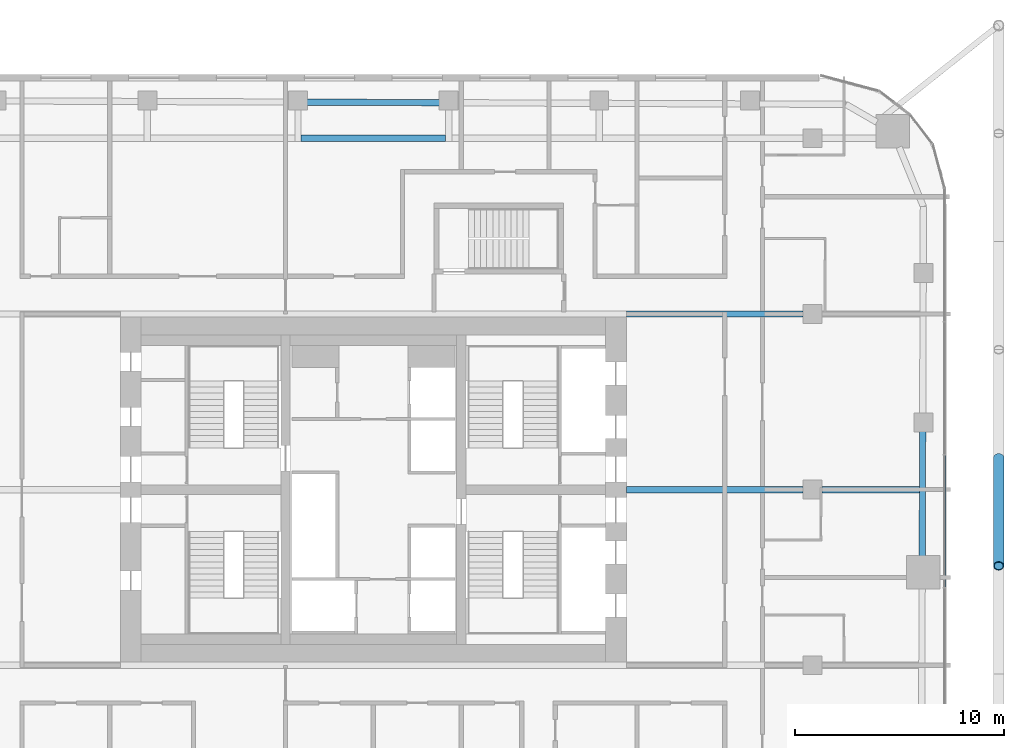
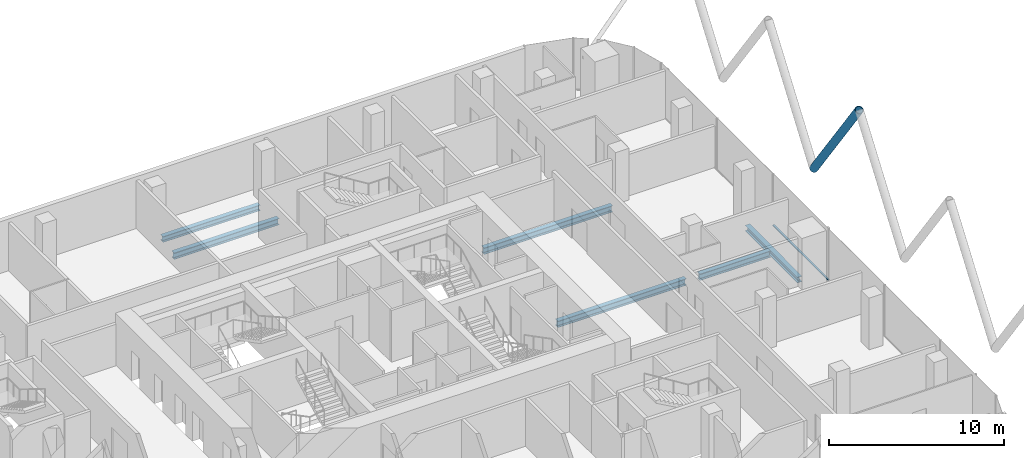
# One storey, part 12 of 33: 6 beams, 2 members, 1 element without a shape of its own.
"""IFC4 building model written with IfcOpenShell, lengths in metres."""

from ifc_helpers import new_model, si_unit, direction, frame, origin, origin_2d, place, context, subcontext, project, spatial, rectangle, hollow_circle, i_section, extrude, material, layer, layer_set, material_profile, profile_set, type_object, element, aggregate, save


model = new_model("IFC4")

# Units and contexts
model_context = context("Model", 3, precision=1e-05, world=origin(), true_north=direction((0.0, 1.0)))
body_context = subcontext(model_context, "Body", "Model", "MODEL_VIEW")
ifc_project = project(units=[si_unit("LENGTHUNIT", "METRE"), si_unit("AREAUNIT", "SQUARE_METRE"), si_unit("VOLUMEUNIT", "CUBIC_METRE"), si_unit("PLANEANGLEUNIT", "RADIAN"), si_unit("MASSUNIT", "GRAM", prefix="KILO")], contexts=[model_context])

# Site, building, storey
site_placement = place(None, origin())
site = spatial("IfcSite", under=ifc_project, at=site_placement, CompositionType="ELEMENT")
building_placement = place(site_placement, origin())
building = spatial("IfcBuilding", under=site, at=building_placement, Name="Marenta Gate Hotel Tower", CompositionType="ELEMENT")
storey_placement = place(building_placement, frame((0.0, 0.0, 151.699951171875)))
storey = spatial("IfcBuildingStorey", under=building, at=storey_placement, Name="L35", CompositionType="ELEMENT", Elevation=151.699951171875)

# Member
ifc_material_1 = material(Name="Steel S355J2W", Category="steel")
ifc_material_profile_1 = material_profile(ifc_material_1, hollow_circle(Radius=0.25390625, WallThickness=0.0400390625, at=origin_2d()), Name="CHS 508x40")
ifc_profile_set_1 = profile_set([ifc_material_profile_1], Name="Steel S355J2W")
member_type_1 = type_object("IfcMemberType", Name="Diagrid diagonal Z2 CHS 508x40", PredefinedType="BRACE", material=ifc_profile_set_1)
member_1_placement = place(storey_placement, frame((29.89990234375, 9.919921875, 3.14013671875), z_axis=(0.0, -0.583260841117, 0.812284919975), x_axis=(1.0, 0.0, 0.0)))
element("IfcMember", 1, at=member_1_placement, inside=storey, type_object=member_type_1, Name="L35-DG-5", PredefinedType="BRACE", context=body_context, shape_type="SweptSolid", body=[
    extrude(hollow_circle(Radius=0.25390625, WallThickness=0.0400390625, at=origin_2d()), origin(), (0.0, 0.0, 1.0), 8.86376953125),
])

# Beams
ifc_material_2 = material(Name="Steel S355", Category="steel")
ifc_material_profile_2 = material_profile(ifc_material_2, i_section(OverallWidth=0.300048828125, OverallDepth=0.39990234375, WebThickness=0.013427734375, FlangeThickness=0.02392578125, FilletRadius=0.027099609375, at=origin_2d()), Name="HEB 400")
ifc_profile_set_2 = profile_set([ifc_material_profile_2], Name="Steel S355")
beam_type_1 = type_object("IfcBeamType", Name="Edge beam HEB 400", PredefinedType="SPANDREL", material=ifc_profile_set_2)
beam_1_placement = place(storey_placement, frame((-3.19140625, 26.926513671875, -0.4599609375), z_axis=(0.999991624938, -0.004092682982, 0.0), x_axis=(0.004092682982, 0.999991624938, 0.0)))
element("IfcBeam", 2, at=beam_1_placement, inside=storey, type_object=beam_type_1, Name="L35-EB-16", PredefinedType="SPANDREL", context=body_context, shape_type="SweptSolid", body=[
    extrude(i_section(OverallWidth=0.300048828125, OverallDepth=0.39990234375, WebThickness=0.013427734375, FlangeThickness=0.02392578125, FilletRadius=0.027099609375, at=origin_2d()), origin(), (0.0, 0.0, 1.0), 6.3828125),
])
beam_2_placement = place(storey_placement, frame((26.26416015625, 11.193115234375, -0.4599609375), z_axis=(-0.003305160059, -0.999994537944, 0.0), x_axis=(0.999994537944, -0.003305160059, 0.0)))
element("IfcBeam", 3, at=beam_2_placement, inside=storey, type_object=beam_type_1, Name="L35-EB-24", PredefinedType="SPANDREL", context=body_context, shape_type="SweptSolid", body=[
    extrude(i_section(OverallWidth=0.300048828125, OverallDepth=0.39990234375, WebThickness=0.013427734375, FlangeThickness=0.02392578125, FilletRadius=0.027099609375, at=origin_2d()), origin(), (0.0, 0.0, 1.0), 5.983154296875),
])
ifc_material_3 = material(Name="Steel S355", Category="steel")
ifc_material_profile_3 = material_profile(ifc_material_3, i_section(OverallWidth=0.300048828125, OverallDepth=0.449951171875, WebThickness=0.013916015625, FlangeThickness=0.02587890625, FilletRadius=0.027099609375, at=origin_2d()), Name="HEB 450")
ifc_profile_set_3 = profile_set([ifc_material_profile_3], Name="Steel S355")
beam_type_2 = type_object("IfcBeamType", Name="Girder HEB 450", PredefinedType="BEAM", material=ifc_profile_set_3)
beam_3_placement = place(storey_placement, frame((12.10009765625, 8.39990234375, -0.48486328125), z_axis=(1.0, 0.0, 0.0), x_axis=(0.0, 1.0, 0.0)))
element("IfcBeam", 4, at=beam_3_placement, inside=storey, type_object=beam_type_2, Name="L35-GD-22", PredefinedType="BEAM", context=body_context, shape_type="SweptSolid", body=[
    extrude(i_section(OverallWidth=0.300048828125, OverallDepth=0.449951171875, WebThickness=0.013916015625, FlangeThickness=0.02587890625, FilletRadius=0.027099609375, at=origin_2d()), origin(), (0.0, 0.0, 1.0), 8.449951171875),
])
beam_4_placement = place(storey_placement, frame((21.449951171875, 8.39990234375, -0.48486328125), z_axis=(1.0, 0.0, 0.0), x_axis=(0.0, 1.0, 0.0)))
element("IfcBeam", 5, at=beam_4_placement, inside=storey, type_object=beam_type_2, Name="L35-GD-23", PredefinedType="BEAM", context=body_context, shape_type="SweptSolid", body=[
    extrude(i_section(OverallWidth=0.300048828125, OverallDepth=0.449951171875, WebThickness=0.013916015625, FlangeThickness=0.02587890625, FilletRadius=0.027099609375, at=origin_2d()), origin(), (0.0, 0.0, 1.0), 4.655029296875),
])
beam_5_placement = place(storey_placement, frame((12.10009765625, 16.800048828125, -0.48486328125), z_axis=(1.0, 0.0, 0.0), x_axis=(0.0, 1.0, 0.0)))
element("IfcBeam", 6, at=beam_5_placement, inside=storey, type_object=beam_type_2, Name="L35-GD-27", PredefinedType="BEAM", context=body_context, shape_type="SweptSolid", body=[
    extrude(i_section(OverallWidth=0.300048828125, OverallDepth=0.449951171875, WebThickness=0.013916015625, FlangeThickness=0.02587890625, FilletRadius=0.027099609375, at=origin_2d()), origin(), (0.0, 0.0, 1.0), 8.449951171875),
])
beam_6_placement = place(storey_placement, frame((-3.451416015625, 25.199951171875, -0.48486328125), z_axis=(1.0, 0.0, 0.0), x_axis=(0.0, 1.0, 0.0)))
element("IfcBeam", 7, at=beam_6_placement, inside=storey, type_object=beam_type_2, Name="L35-GD-32", PredefinedType="BEAM", context=body_context, shape_type="SweptSolid", body=[
    extrude(i_section(OverallWidth=0.300048828125, OverallDepth=0.449951171875, WebThickness=0.013916015625, FlangeThickness=0.02587890625, FilletRadius=0.027099609375, at=origin_2d()), origin(), (0.0, 0.0, 1.0), 6.90283203125),
])

# Curtain wall, member
ifc_material_4 = material(Name="Tinted insulated glass in bronze anodised frame", Category="glass")
ifc_layer = layer(ifc_material_4, 0.1201171875)
ifc_layer_set = layer_set([ifc_layer], Name="Tinted insulated glass in bronze anodised frame")
curtain_wall_type = type_object("IfcCurtainWallType", Name="Tower unitised curtain wall CW1", PredefinedType="NOTDEFINED", material=ifc_layer_set)
curtain_wall_placement = place(storey_placement, origin())
curtain_wall = element("IfcCurtainWall", 8, at=curtain_wall_placement, inside=storey, type_object=curtain_wall_type, Name="CW1 run G19", PredefinedType="NOTDEFINED")
ifc_material_5 = material(Name="Bronze anodised aluminium", Category="aluminium")
ifc_material_profile_4 = material_profile(ifc_material_5, rectangle(XDim=0.1201171875, YDim=0.06005859375, at=origin_2d()), Name="Transom CW1 60x120 bronze anodised aluminium")
ifc_profile_set_4 = profile_set([ifc_material_profile_4], Name="Bronze anodised aluminium")
member_type_2 = type_object("IfcMemberType", Name="Transom CW1 60x120 bronze anodised aluminium", PredefinedType="USERDEFINED", material=ifc_profile_set_4)
member_2_placement = place(storey_placement, frame((27.31396484375, 3.741943359375, 0.030029296875), z_axis=(0.0, 1.0, 0.0), x_axis=(-1.0, 0.0, 0.0)))
member_2 = element("IfcMember", 9, at=member_2_placement, type_object=member_type_2, Name="CW1 transom 4.1", ObjectType="TRANSOM", PredefinedType="USERDEFINED", context=body_context, shape_type="SweptSolid", body=[
    extrude(rectangle(XDim=0.1201171875, YDim=0.06005859375, at=origin_2d()), origin(), (0.0, 0.0, 1.0), 6.300048828125),
])
aggregate(curtain_wall, [member_2])

save(model, "model.ifc")
